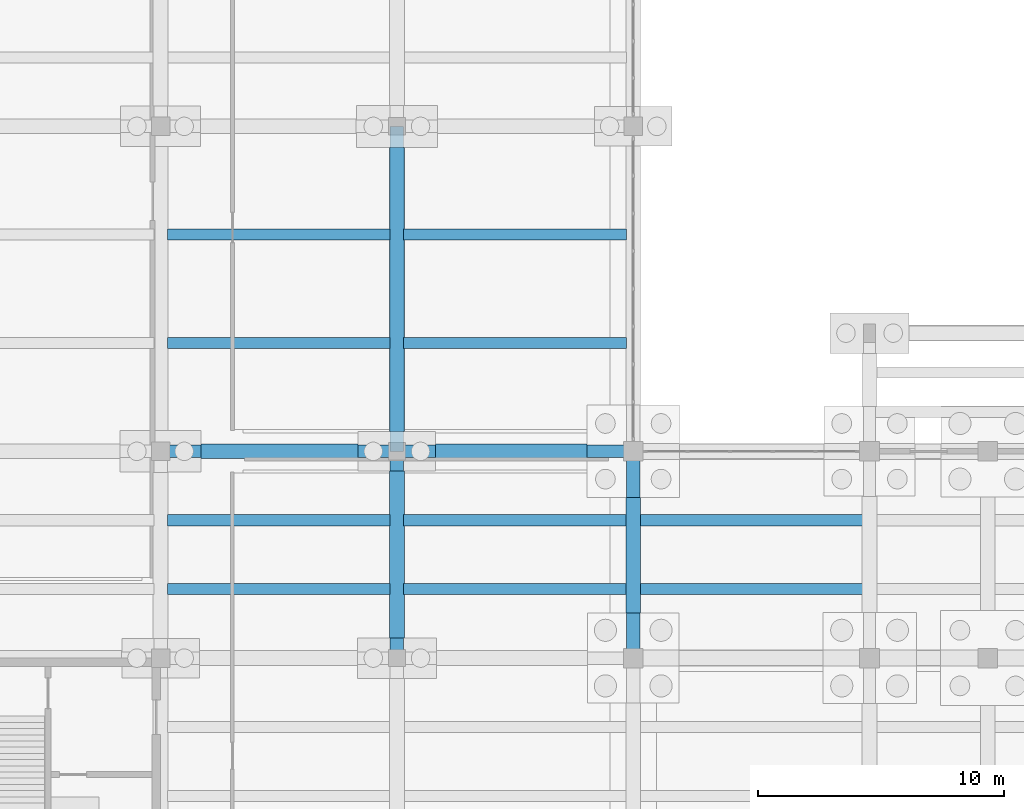
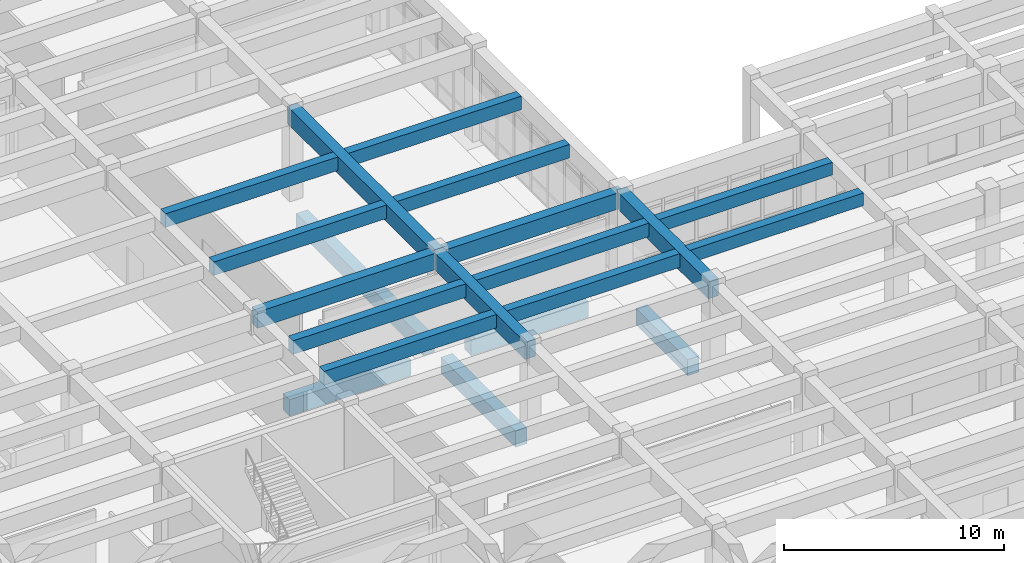
# One storey, part 18 of 102: 20 beams.
"""IFC4 building model written with IfcOpenShell, lengths in metres."""

from ifc_helpers import new_model, si_unit, direction, frame, origin, origin_2d, place, context, subcontext, project, spatial, rectangle, extrude, material, material_profile, profile_set, type_object, element, save


model = new_model("IFC4")

# Units and contexts
model_context = context("Model", 3, precision=1e-05, world=origin(), true_north=direction((0.0, 1.0)))
body_context = subcontext(model_context, "Body", "Model", "MODEL_VIEW")
ifc_project = project(units=[si_unit("LENGTHUNIT", "METRE"), si_unit("AREAUNIT", "SQUARE_METRE"), si_unit("VOLUMEUNIT", "CUBIC_METRE"), si_unit("PLANEANGLEUNIT", "RADIAN"), si_unit("MASSUNIT", "GRAM", prefix="KILO")], contexts=[model_context])

# Site, building, storey
site_placement = place(None, origin())
site = spatial("IfcSite", under=ifc_project, at=site_placement, CompositionType="ELEMENT")
building_placement = place(site_placement, origin())
building = spatial("IfcBuilding", under=site, at=building_placement, Name="Kolvemor Railside Polytechnic", CompositionType="ELEMENT")
storey_placement = place(building_placement, origin())
storey = spatial("IfcBuildingStorey", under=building, at=storey_placement, Name="L00", CompositionType="ELEMENT", Elevation=0.0)

# Beams
ifc_material_1 = material(Name="Concrete C40/50", Category="concrete")
ifc_material_profile_1 = material_profile(ifc_material_1, rectangle(XDim=0.550048828125, YDim=0.949951171875, at=origin_2d()), Name="RC550x950")
ifc_profile_set_1 = profile_set([ifc_material_profile_1], Name="Concrete C40/50")
beam_type_1 = type_object("IfcBeamType", Name="BM-RC-GIRD", PredefinedType="BEAM", material=ifc_profile_set_1)
beam_1_placement = place(storey_placement, frame((38.39990234375, 30.0, 4.635009765625), z_axis=(0.0, 1.0, 0.0), x_axis=(-1.0, 0.0, 0.0)))
element("IfcBeam", 1, at=beam_1_placement, inside=storey, type_object=beam_type_1, Name="Primary Girder L01-GY 0090", PredefinedType="BEAM", context=body_context, shape_type="SweptSolid", body=[
    extrude(rectangle(XDim=0.550048828125, YDim=0.949951171875, at=origin_2d()), origin(), (0.0, 0.0, 1.0), 8.39990234375),
])
beam_2_placement = place(storey_placement, frame((38.39990234375, 38.39990234375, 4.635009765625), z_axis=(0.0, 1.0, 0.0), x_axis=(-1.0, 0.0, 0.0)))
element("IfcBeam", 2, at=beam_2_placement, inside=storey, type_object=beam_type_1, Name="Primary Girder L01-GY 0091", PredefinedType="BEAM", context=body_context, shape_type="SweptSolid", body=[
    extrude(rectangle(XDim=0.550048828125, YDim=0.949951171875, at=origin_2d()), origin(), (0.0, 0.0, 1.0), 13.2001953125),
])
beam_3_placement = place(storey_placement, frame((48.0, 30.0, 4.635009765625), z_axis=(0.0, 1.0, 0.0), x_axis=(-1.0, 0.0, 0.0)))
element("IfcBeam", 3, at=beam_3_placement, inside=storey, type_object=beam_type_1, Name="Primary Girder L01-GY 0099", PredefinedType="BEAM", context=body_context, shape_type="SweptSolid", body=[
    extrude(rectangle(XDim=0.550048828125, YDim=0.949951171875, at=origin_2d()), origin(), (0.0, 0.0, 1.0), 8.39990234375),
])
ifc_material_2 = material(Name="Concrete C40/50", Category="concrete")
ifc_material_profile_2 = material_profile(ifc_material_2, rectangle(XDim=0.5, YDim=0.89990234375, at=origin_2d()), Name="RC500x900")
ifc_profile_set_2 = profile_set([ifc_material_profile_2], Name="Concrete C40/50")
beam_type_2 = type_object("IfcBeamType", Name="BM-RC-GIRD4", PredefinedType="BEAM", material=ifc_profile_set_2)
beam_4_placement = place(storey_placement, frame((28.800048828125, 38.39990234375, 4.659912109375), z_axis=(1.0, 0.0, 0.0), x_axis=(0.0, 1.0, 0.0)))
element("IfcBeam", 4, at=beam_4_placement, inside=storey, type_object=beam_type_2, Name="Primary Girder L01-GX 0024", PredefinedType="BEAM", context=body_context, shape_type="SweptSolid", body=[
    extrude(rectangle(XDim=0.5, YDim=0.89990234375, at=origin_2d()), origin(), (0.0, 0.0, 1.0), 9.599853515625),
])
beam_5_placement = place(storey_placement, frame((38.39990234375, 38.39990234375, 4.659912109375), z_axis=(1.0, 0.0, 0.0), x_axis=(0.0, 1.0, 0.0)))
element("IfcBeam", 5, at=beam_5_placement, inside=storey, type_object=beam_type_2, Name="Primary Girder L01-GX 0025", PredefinedType="BEAM", context=body_context, shape_type="SweptSolid", body=[
    extrude(rectangle(XDim=0.5, YDim=0.89990234375, at=origin_2d()), origin(), (0.0, 0.0, 1.0), 9.60009765625),
])
ifc_material_3 = material(Name="Concrete C40/50", Category="concrete")
ifc_material_profile_3 = material_profile(ifc_material_3, rectangle(XDim=0.449951171875, YDim=0.75, at=origin_2d()), Name="RC450x750")
ifc_profile_set_3 = profile_set([ifc_material_profile_3], Name="Concrete C40/50")
beam_type_3 = type_object("IfcBeamType", Name="BM-RC-SEC", PredefinedType="JOIST", material=ifc_profile_set_3)
for number, where, z_axis, x_axis, name in (
    (6, (29.074951171875, 32.800048828125, 4.735107421875), (1.0, 0.0, 0.0), (0.0, 1.0, 0.0), "Floor Joist L01-J0161"),
    (7, (29.074951171875, 35.60009765625, 4.735107421875), (1.0, 0.0, 0.0), (0.0, 1.0, 0.0), "Floor Joist L01-J0162"),
    (8, (29.074951171875, 42.800048828125, 4.735107421875), (1.0, 0.0, 0.0), (0.0, 1.0, 0.0), "Floor Joist L01-J0163"),
    (9, (29.074951171875, 47.199951171875, 4.735107421875), (1.0, 0.0, 0.0), (0.0, 1.0, 0.0), "Floor Joist L01-J0164"),
    (10, (38.675048828125, 32.800048828125, 4.735107421875), (1.0, 0.0, 0.0), (0.0, 1.0, 0.0), "Floor Joist L01-J0179"),
    (11, (38.675048828125, 35.60009765625, 4.735107421875), (1.0, 0.0, 0.0), (0.0, 1.0, 0.0), "Floor Joist L01-J0180"),
    (12, (38.675048828125, 42.800048828125, 4.735107421875), (1.0, 0.0, 0.0), (0.0, 1.0, 0.0), "Floor Joist L01-J0181"),
    (13, (38.675048828125, 47.199951171875, 4.735107421875), (1.0, 0.0, 0.0), (0.0, 1.0, 0.0), "Floor Joist L01-J0182"),
):
    element("IfcBeam", number, at=place(storey_placement, frame(where, z_axis=z_axis, x_axis=x_axis)), inside=storey, type_object=beam_type_3, Name=name, PredefinedType="JOIST", context=body_context, shape_type="SweptSolid", body=[
        extrude(rectangle(XDim=0.449951171875, YDim=0.75, at=origin_2d()), origin(), (0.0, 0.0, 1.0), 9.050048828125),
    ])
ifc_material_4 = material(Name="Concrete C40/50", Category="concrete")
ifc_material_profile_4 = material_profile(ifc_material_4, rectangle(XDim=0.449951171875, YDim=0.699951171875, at=origin_2d()), Name="RC450x700")
ifc_profile_set_4 = profile_set([ifc_material_profile_4], Name="Concrete C40/50")
beam_type_4 = type_object("IfcBeamType", Name="BM-RC-SEC2", PredefinedType="JOIST", material=ifc_profile_set_4)
for number, where, z_axis, x_axis, name in (
    (14, (48.25, 32.800048828125, 4.760009765625), (1.0, 0.0, 0.0), (0.0, 1.0, 0.0), "Floor Joist L01-J0278"),
    (15, (48.25, 35.60009765625, 4.760009765625), (1.0, 0.0, 0.0), (0.0, 1.0, 0.0), "Floor Joist L01-J0279"),
):
    element("IfcBeam", number, at=place(storey_placement, frame(where, z_axis=z_axis, x_axis=x_axis)), inside=storey, type_object=beam_type_4, Name=name, PredefinedType="JOIST", context=body_context, shape_type="SweptSolid", body=[
        extrude(rectangle(XDim=0.449951171875, YDim=0.699951171875, at=origin_2d()), origin(), (0.0, 0.0, 1.0), 9.10009765625),
    ])
ifc_material_5 = material(Name="Concrete C40/50", Category="concrete")
ifc_material_profile_5 = material_profile(ifc_material_5, rectangle(XDim=0.60009765625, YDim=0.89990234375, at=origin_2d()), Name="RC600x900")
ifc_profile_set_5 = profile_set([ifc_material_profile_5], Name="Concrete C40/50")
beam_type_5 = type_object("IfcBeamType", Name="BM-RC-TIE", PredefinedType="BEAM", material=ifc_profile_set_5)
beam_6_placement = place(storey_placement, frame((30.451904296875, 38.39990234375, -0.75), z_axis=(1.0, 0.0, 0.0), x_axis=(0.0, 1.0, 0.0)))
element("IfcBeam", 16, at=beam_6_placement, inside=storey, type_object=beam_type_5, Name="Ground Tie Beam GTB-X110", PredefinedType="BEAM", context=body_context, shape_type="SweptSolid", body=[
    extrude(rectangle(XDim=0.60009765625, YDim=0.89990234375, at=origin_2d()), origin(), (0.0, 0.0, 1.0), 6.37109375),
])
beam_7_placement = place(storey_placement, frame((39.97705078125, 38.39990234375, -0.75), z_axis=(1.0, 0.0, 0.0), x_axis=(0.0, 1.0, 0.0)))
element("IfcBeam", 17, at=beam_7_placement, inside=storey, type_object=beam_type_5, Name="Ground Tie Beam GTB-X111", PredefinedType="BEAM", context=body_context, shape_type="SweptSolid", body=[
    extrude(rectangle(XDim=0.60009765625, YDim=0.89990234375, at=origin_2d()), origin(), (0.0, 0.0, 1.0), 6.14599609375),
])
beam_8_placement = place(storey_placement, frame((38.39990234375, 30.826904296875, -0.75), z_axis=(0.0, 1.0, 0.0), x_axis=(-1.0, 0.0, 0.0)))
element("IfcBeam", 18, at=beam_8_placement, inside=storey, type_object=beam_type_5, Name="Ground Tie Beam GTB-Y278", PredefinedType="BEAM", context=body_context, shape_type="SweptSolid", body=[
    extrude(rectangle(XDim=0.60009765625, YDim=0.89990234375, at=origin_2d()), origin(), (0.0, 0.0, 1.0), 6.77099609375),
])
beam_9_placement = place(storey_placement, frame((38.39990234375, 39.201904296875, -0.75), z_axis=(0.0, 1.0, 0.0), x_axis=(-1.0, 0.0, 0.0)))
element("IfcBeam", 19, at=beam_9_placement, inside=storey, type_object=beam_type_5, Name="Ground Tie Beam GTB-Y279", PredefinedType="BEAM", context=body_context, shape_type="SweptSolid", body=[
    extrude(rectangle(XDim=0.60009765625, YDim=0.89990234375, at=origin_2d()), origin(), (0.0, 0.0, 1.0), 11.546142578125),
])
beam_10_placement = place(storey_placement, frame((48.0, 31.826904296875, -0.75), z_axis=(0.0, 1.0, 0.0), x_axis=(-1.0, 0.0, 0.0)))
element("IfcBeam", 20, at=beam_10_placement, inside=storey, type_object=beam_type_5, Name="Ground Tie Beam GTB-Y291", PredefinedType="BEAM", context=body_context, shape_type="SweptSolid", body=[
    extrude(rectangle(XDim=0.60009765625, YDim=0.89990234375, at=origin_2d()), origin(), (0.0, 0.0, 1.0), 4.696044921875),
])

save(model, "model.ifc")
